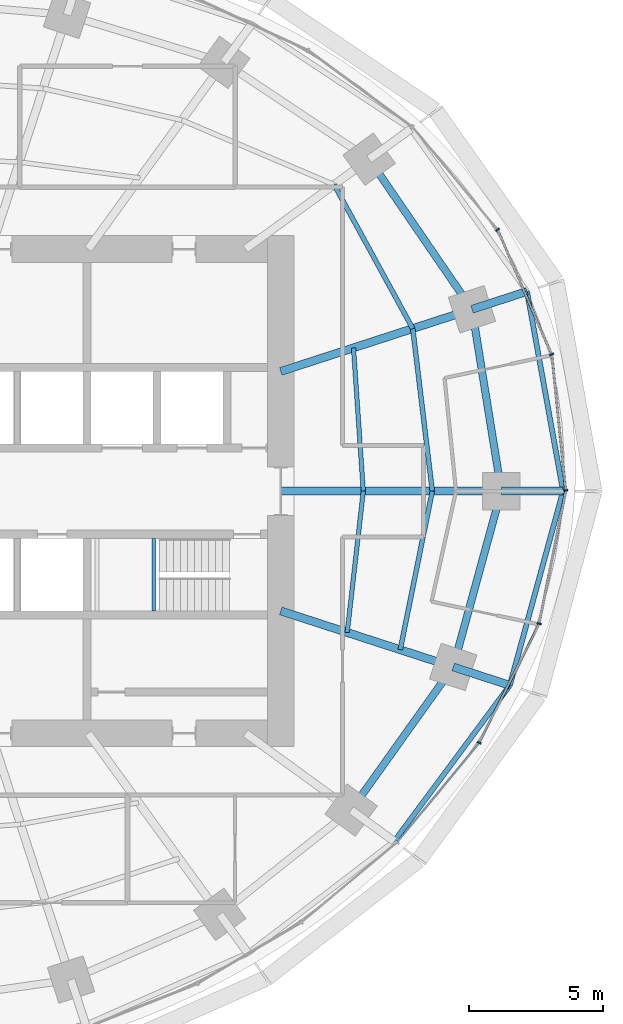
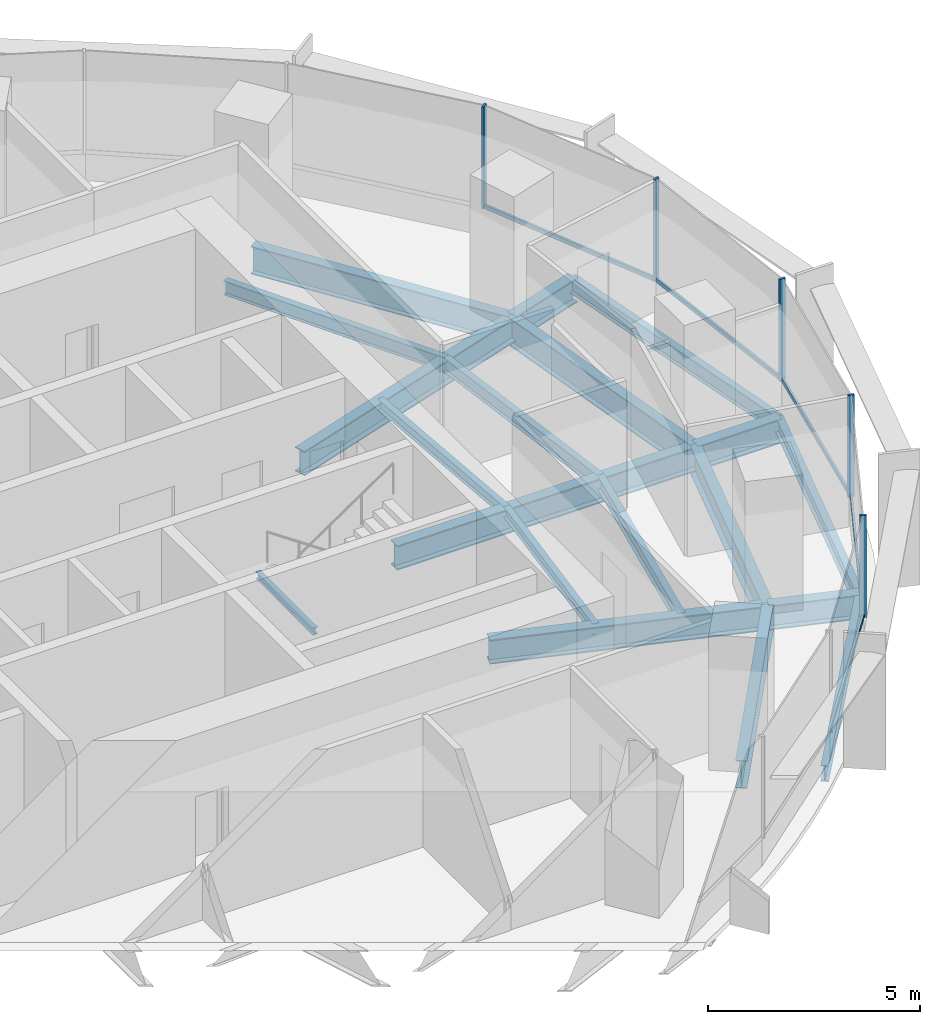
# One storey, part 6 of 14: 19 beams, 10 members, 2 elements without a shape of their own.
"""IFC4 building model written with IfcOpenShell, lengths in metres."""

from ifc_helpers import new_model, si_unit, direction, frame, origin, origin_2d, place, context, subcontext, project, spatial, rectangle, i_section, extrude, material, material_profile, profile_set, type_object, element, aggregate, save


model = new_model("IFC4")

# Units and contexts
model_context = context("Model", 3, precision=1e-05, world=origin(), true_north=direction((0.0, 1.0)))
body_context = subcontext(model_context, "Body", "Model", "MODEL_VIEW")
ifc_project = project(units=[si_unit("LENGTHUNIT", "METRE"), si_unit("AREAUNIT", "SQUARE_METRE"), si_unit("VOLUMEUNIT", "CUBIC_METRE"), si_unit("PLANEANGLEUNIT", "RADIAN"), si_unit("MASSUNIT", "GRAM", prefix="KILO")], contexts=[model_context])

# Site, building, storey
site_placement = place(None, origin())
site = spatial("IfcSite", under=ifc_project, at=site_placement, CompositionType="ELEMENT")
building_placement = place(site_placement, origin())
building = spatial("IfcBuilding", under=site, at=building_placement, Name="Marramba Exchange Tower", CompositionType="ELEMENT")
storey_placement = place(building_placement, frame((0.0, 0.0, 183.800048828125)))
storey = spatial("IfcBuildingStorey", under=building, at=storey_placement, Name="L44", CompositionType="ELEMENT", Elevation=183.800048828125)

# Beams
ifc_material_1 = material(Name="Steel AS/NZS 3679.2 grade 300", Category="steel")
ifc_material_profile_1 = material_profile(ifc_material_1, i_section(OverallWidth=0.300048828125, OverallDepth=0.699951171875, WebThickness=0.010009765625, FlangeThickness=0.031982421875, at=origin_2d()), Name="700WB173")
ifc_profile_set_1 = profile_set([ifc_material_profile_1], Name="Steel AS/NZS 3679.2 grade 300")
beam_type_1 = type_object("IfcBeamType", Name="Cantilever girder 700WB173", PredefinedType="BEAM", material=ifc_profile_set_1)
beam_1_placement = place(storey_placement, frame((21.89990234375, 0.0, -0.510009765625), z_axis=(1.0, 0.0, 0.0), x_axis=(0.0, 1.0, 0.0)))
element("IfcBeam", 1, at=beam_1_placement, inside=storey, type_object=beam_type_1, Name="Cantilever girder L44 TC01", PredefinedType="BEAM", context=body_context, shape_type="SweptSolid", body=[
    extrude(i_section(OverallWidth=0.300048828125, OverallDepth=0.699951171875, WebThickness=0.010009765625, FlangeThickness=0.031982421875, at=origin_2d()), origin(), (0.0, 0.0, 1.0), 2.294189453125),
])
beam_2_placement = place(storey_placement, frame((20.808349609375, 6.760986328125, -0.510009765625), z_axis=(0.951051587859, 0.309032162129, 0.0), x_axis=(-0.309032162129, 0.951051587859, 0.0)))
element("IfcBeam", 2, at=beam_2_placement, inside=storey, type_object=beam_type_1, Name="Cantilever girder L44 TC02", PredefinedType="BEAM", context=body_context, shape_type="SweptSolid", body=[
    extrude(i_section(OverallWidth=0.300048828125, OverallDepth=0.699951171875, WebThickness=0.010009765625, FlangeThickness=0.031982421875, at=origin_2d()), origin(), (0.0, 0.0, 1.0), 2.150390625),
])
beam_3_placement = place(storey_placement, frame((20.109375, -6.533935546875, -0.510009765625), z_axis=(0.951050283347, -0.309036176758, 0.0), x_axis=(0.309036176758, 0.951050283347, 0.0)))
element("IfcBeam", 3, at=beam_3_placement, inside=storey, type_object=beam_type_1, Name="Cantilever girder L44 TC20", PredefinedType="BEAM", context=body_context, shape_type="SweptSolid", body=[
    extrude(i_section(OverallWidth=0.300048828125, OverallDepth=0.699951171875, WebThickness=0.010009765625, FlangeThickness=0.031982421875, at=origin_2d()), origin(), (0.0, 0.0, 1.0), 2.212890625),
])
ifc_material_2 = material(Name="Steel AS/NZS 3679.1 grade 300", Category="steel")
ifc_material_profile_2 = material_profile(ifc_material_2, i_section(OverallWidth=0.166015625, OverallDepth=0.306884765625, WebThickness=0.006591796875, FlangeThickness=0.01171875, FilletRadius=0.011474609375, at=origin_2d()), Name="310UB46.2")
ifc_profile_set_2 = profile_set([ifc_material_profile_2], Name="Steel AS/NZS 3679.1 grade 300")
beam_type_2 = type_object("IfcBeamType", Name="Floor joist 310UB46.2", PredefinedType="JOIST", material=ifc_profile_set_2)
beam_4_placement = place(storey_placement, frame((16.7666015625, 0.0, -0.3134765625), z_axis=(-0.068096259546, 0.99767875563, 0.0), x_axis=(-0.99767875563, -0.068096259546, 0.0)))
element("IfcBeam", 4, at=beam_4_placement, inside=storey, type_object=beam_type_2, Name="Joist L44 bay 01 row 1", PredefinedType="JOIST", context=body_context, shape_type="SweptSolid", body=[
    extrude(i_section(OverallWidth=0.166015625, OverallDepth=0.306884765625, WebThickness=0.006591796875, FlangeThickness=0.01171875, FilletRadius=0.011474609375, at=origin_2d()), origin(), (0.0, 0.0, 1.0), 5.342041015625),
])
beam_5_placement = place(storey_placement, frame((16.169677734375, -5.25390625, -0.3134765625), z_axis=(0.112888968594, 0.993607609054, 0.0), x_axis=(-0.993607609054, 0.112888968594, 0.0)))
element("IfcBeam", 5, at=beam_5_placement, inside=storey, type_object=beam_type_2, Name="Joist L44 bay 20 row 1", PredefinedType="JOIST", context=body_context, shape_type="SweptSolid", body=[
    extrude(i_section(OverallWidth=0.166015625, OverallDepth=0.306884765625, WebThickness=0.006591796875, FlangeThickness=0.01171875, FilletRadius=0.011474609375, at=origin_2d()), origin(), (0.0, 0.0, 1.0), 5.28759765625),
])
ifc_material_profile_3 = material_profile(ifc_material_2, i_section(OverallWidth=0.177978515625, OverallDepth=0.406005859375, WebThickness=0.0078125, FlangeThickness=0.0126953125, FilletRadius=0.011474609375, at=origin_2d()), Name="410UB59.7")
ifc_profile_set_3 = profile_set([ifc_material_profile_3], Name="Steel AS/NZS 3679.1 grade 300")
beam_type_3 = type_object("IfcBeamType", Name="Floor joist 410UB59.7", PredefinedType="JOIST", material=ifc_profile_set_3)
beam_6_placement = place(storey_placement, frame((19.333251953125, 0.0, -0.363037109375), z_axis=(-0.119523078538, 0.992831422597, 0.0), x_axis=(-0.992831422597, -0.119523078538, 0.0)))
element("IfcBeam", 6, at=beam_6_placement, inside=storey, type_object=beam_type_3, Name="Joist L44 bay 01 row 2", PredefinedType="JOIST", context=body_context, shape_type="SweptSolid", body=[
    extrude(i_section(OverallWidth=0.177978515625, OverallDepth=0.406005859375, WebThickness=0.0078125, FlangeThickness=0.0126953125, FilletRadius=0.011474609375, at=origin_2d()), origin(), (0.0, 0.0, 1.0), 6.089111328125),
])
beam_7_placement = place(storey_placement, frame((18.60546875, 6.04541015625, -0.363037109375), z_axis=(-0.479584443791, 0.877495732909, 0.0), x_axis=(-0.877495732909, -0.479584443791, 0.0)))
element("IfcBeam", 7, at=beam_7_placement, inside=storey, type_object=beam_type_3, Name="Joist L44 bay 02 row 2", PredefinedType="JOIST", context=body_context, shape_type="SweptSolid", body=[
    extrude(i_section(OverallWidth=0.177978515625, OverallDepth=0.406005859375, WebThickness=0.0078125, FlangeThickness=0.0126953125, FilletRadius=0.011474609375, at=origin_2d()), origin(), (0.0, 0.0, 1.0), 6.094970703125),
])
beam_8_placement = place(storey_placement, frame((18.1396484375, -5.893798828125, -0.363037109375), z_axis=(0.198489047047, 0.980103105904, 0.0), x_axis=(-0.980103105904, 0.198489047047, 0.0)))
element("IfcBeam", 8, at=beam_8_placement, inside=storey, type_object=beam_type_3, Name="Joist L44 bay 20 row 2", PredefinedType="JOIST", context=body_context, shape_type="SweptSolid", body=[
    extrude(i_section(OverallWidth=0.177978515625, OverallDepth=0.406005859375, WebThickness=0.0078125, FlangeThickness=0.0126953125, FilletRadius=0.011474609375, at=origin_2d()), origin(), (0.0, 0.0, 1.0), 6.013427734375),
])

# Curtain wall, members
ifc_material_3 = material(Name="Aluminium framing, bronze anodised", Category="aluminium")
curtain_wall_type = type_object("IfcCurtainWallType", Name="Office ribbon curtain wall", PredefinedType="USERDEFINED", material=ifc_material_3)
curtain_wall_1_placement = place(storey_placement, origin())
curtain_wall_1 = element("IfcCurtainWall", 9, at=curtain_wall_1_placement, inside=storey, type_object=curtain_wall_type, Name="Curtain wall CW4 L44 F01-F05", ObjectType="RIBBON CURTAIN WALL", PredefinedType="USERDEFINED")
ifc_material_4 = material(Name="Aluminium mullion, bronze anodised", Category="aluminium")
ifc_material_profile_4 = material_profile(ifc_material_4, rectangle(XDim=0.159912109375, YDim=0.06005859375, at=origin_2d()), Name="CW4 mullion 60x160")
ifc_profile_set_4 = profile_set([ifc_material_profile_4], Name="Aluminium mullion, bronze anodised")
member_type_1 = type_object("IfcMemberType", Name="Office ribbon curtain wall mullion", PredefinedType="MULLION", material=ifc_profile_set_4)
member_1_placement = place(storey_placement, frame((24.291015625, 0.02978515625, 0.800048828125), z_axis=(0.0, 0.0, 1.0), x_axis=(-0.994843446001, -0.101422472607, 0.0)))
member_1 = element("IfcMember", 10, at=member_1_placement, type_object=member_type_1, Name="CW4 mullion 1", PredefinedType="MULLION", context=body_context, shape_type="SweptSolid", body=[
    extrude(rectangle(XDim=0.159912109375, YDim=0.06005859375, at=origin_2d()), origin(), (0.0, 0.0, 1.0), 2.93994140625),
])
member_2_placement = place(storey_placement, frame((23.766845703125, 5.081787109375, 0.800048828125), z_axis=(0.0, 0.0, 1.0), x_axis=(-0.918167104527, -0.396193346946, 0.0)))
member_2 = element("IfcMember", 11, at=member_2_placement, type_object=member_type_1, Name="CW4 mullion 1", PredefinedType="MULLION", context=body_context, shape_type="SweptSolid", body=[
    extrude(rectangle(XDim=0.159912109375, YDim=0.06005859375, at=origin_2d()), origin(), (0.0, 0.0, 1.0), 2.93994140625),
])
member_3_placement = place(storey_placement, frame((21.757080078125, 9.718505859375, 0.800048828125), z_axis=(0.0, 0.0, 1.0), x_axis=(-0.770574258342, -0.637350227411, 0.0)))
member_3 = element("IfcMember", 12, at=member_3_placement, type_object=member_type_1, Name="CW4 mullion 1", PredefinedType="MULLION", context=body_context, shape_type="SweptSolid", body=[
    extrude(rectangle(XDim=0.159912109375, YDim=0.06005859375, at=origin_2d()), origin(), (0.0, 0.0, 1.0), 2.93994140625),
])

curtain_wall_2_placement = place(storey_placement, origin())
curtain_wall_2 = element("IfcCurtainWall", 13, at=curtain_wall_2_placement, inside=storey, type_object=curtain_wall_type, Name="Curtain wall CW4 L44 F26-F30", ObjectType="RIBBON CURTAIN WALL", PredefinedType="USERDEFINED")
member_4_placement = place(storey_placement, frame((21.07568359375, -9.3505859375, 0.800048828125), z_axis=(0.0, 0.0, 1.0), x_axis=(-0.892689067591, 0.450673083956, 0.0)))
member_4 = element("IfcMember", 14, at=member_4_placement, type_object=member_type_1, Name="CW4 mullion 1", PredefinedType="MULLION", context=body_context, shape_type="SweptSolid", body=[
    extrude(rectangle(XDim=0.159912109375, YDim=0.06005859375, at=origin_2d()), origin(), (0.0, 0.0, 1.0), 2.93994140625),
])
member_5_placement = place(storey_placement, frame((23.30224609375, -4.92236328125, 0.800048828125), z_axis=(0.0, 0.0, 1.0), x_axis=(-0.980303812539, 0.197495405316, 0.0)))
member_5 = element("IfcMember", 15, at=member_5_placement, type_object=member_type_1, Name="CW4 mullion 1", PredefinedType="MULLION", context=body_context, shape_type="SweptSolid", body=[
    extrude(rectangle(XDim=0.159912109375, YDim=0.06005859375, at=origin_2d()), origin(), (0.0, 0.0, 1.0), 2.93994140625),
])

# Member
ifc_material_5 = material(Name="Aluminium transom, bronze anodised", Category="aluminium")
ifc_material_profile_5 = material_profile(ifc_material_5, rectangle(XDim=0.06005859375, YDim=0.1201171875, at=origin_2d()), Name="CW4 transom 60x120")
ifc_profile_set_5 = profile_set([ifc_material_profile_5], Name="Aluminium transom, bronze anodised")
member_type_2 = type_object("IfcMemberType", Name="Office ribbon curtain wall transom", PredefinedType="USERDEFINED", material=ifc_profile_set_5)
member_6_placement = place(storey_placement, frame((24.287841796875, 0.0595703125, 0.829833984375), z_axis=(-0.101386007846, 0.994847162841, 0.0), x_axis=(-0.994847162841, -0.101386007846, 0.0)))
member_6 = element("IfcMember", 16, at=member_6_placement, type_object=member_type_2, Name="CW4 sill transom", ObjectType="TRANSOM", PredefinedType="USERDEFINED", context=body_context, shape_type="SweptSolid", body=[
    extrude(rectangle(XDim=0.06005859375, YDim=0.1201171875, at=origin_2d()), origin(), (0.0, 0.0, 1.0), 5.020751953125),
])

member_7_placement = place(storey_placement, frame((23.7548828125, 5.109375, 0.829833984375), z_axis=(-0.396177573744, 0.918173910576, 0.0), x_axis=(-0.918173910576, -0.396177573744, 0.0)))
member_7 = element("IfcMember", 17, at=member_7_placement, type_object=member_type_2, Name="CW4 sill transom", ObjectType="TRANSOM", PredefinedType="USERDEFINED", context=body_context, shape_type="SweptSolid", body=[
    extrude(rectangle(XDim=0.06005859375, YDim=0.1201171875, at=origin_2d()), origin(), (0.0, 0.0, 1.0), 4.99462890625),
])

aggregate(curtain_wall_1, [member_1, member_6, member_2, member_7, member_3])

member_8_placement = place(storey_placement, frame((18.03515625, -13.029296875, 0.829833984375), z_axis=(0.638146908901, 0.76991462037, 0.0), x_axis=(-0.76991462037, 0.638146908901, 0.0)))
member_8 = element("IfcMember", 18, at=member_8_placement, type_object=member_type_2, Name="CW4 sill transom", ObjectType="TRANSOM", PredefinedType="USERDEFINED", context=body_context, shape_type="SweptSolid", body=[
    extrude(rectangle(XDim=0.06005859375, YDim=0.1201171875, at=origin_2d()), origin(), (0.0, 0.0, 1.0), 4.7431640625),
])

member_9_placement = place(storey_placement, frame((21.089111328125, -9.323974609375, 0.829833984375), z_axis=(0.450679681949, 0.892685736572, 0.0), x_axis=(-0.892685736572, 0.450679681949, 0.0)))
member_9 = element("IfcMember", 19, at=member_9_placement, type_object=member_type_2, Name="CW4 sill transom", ObjectType="TRANSOM", PredefinedType="USERDEFINED", context=body_context, shape_type="SweptSolid", body=[
    extrude(rectangle(XDim=0.06005859375, YDim=0.1201171875, at=origin_2d()), origin(), (0.0, 0.0, 1.0), 4.897705078125),
])

member_10_placement = place(storey_placement, frame((23.308349609375, -4.89306640625, 0.829833984375), z_axis=(0.197461053167, 0.980310732616, 0.0), x_axis=(-0.980310732616, 0.197461053167, 0.0)))
member_10 = element("IfcMember", 20, at=member_10_placement, type_object=member_type_2, Name="CW4 sill transom", ObjectType="TRANSOM", PredefinedType="USERDEFINED", context=body_context, shape_type="SweptSolid", body=[
    extrude(rectangle(XDim=0.06005859375, YDim=0.1201171875, at=origin_2d()), origin(), (0.0, 0.0, 1.0), 4.991455078125),
])

aggregate(curtain_wall_2, [member_8, member_4, member_9, member_5, member_10])

# Beams
ifc_material_profile_6 = material_profile(ifc_material_1, i_section(OverallWidth=0.300048828125, OverallDepth=0.699951171875, WebThickness=0.010009765625, FlangeThickness=0.031982421875, at=origin_2d()), Name="700WB173")
ifc_profile_set_6 = profile_set([ifc_material_profile_6], Name="Steel AS/NZS 3679.2 grade 300")
beam_type_4 = type_object("IfcBeamType", Name="Radial girder 700WB173", PredefinedType="BEAM", material=ifc_profile_set_6)
beam_9_placement = place(storey_placement, frame((13.699951171875, 0.0, -0.510009765625), z_axis=(1.0, 0.0, 0.0), x_axis=(0.0, 1.0, 0.0)))
element("IfcBeam", 21, at=beam_9_placement, inside=storey, type_object=beam_type_4, Name="Radial girder L44 TC01", PredefinedType="BEAM", context=body_context, shape_type="SweptSolid", body=[
    extrude(i_section(OverallWidth=0.300048828125, OverallDepth=0.699951171875, WebThickness=0.010009765625, FlangeThickness=0.031982421875, at=origin_2d()), origin(), (0.0, 0.0, 1.0), 8.199951171875),
])
beam_10_placement = place(storey_placement, frame((13.699951171875, 4.451416015625, -0.510009765625), z_axis=(0.951059990189, 0.309006302624, 0.0), x_axis=(-0.309006302624, 0.951059990189, 0.0)))
element("IfcBeam", 22, at=beam_10_placement, inside=storey, type_object=beam_type_4, Name="Radial girder L44 TC02", PredefinedType="BEAM", context=body_context, shape_type="SweptSolid", body=[
    extrude(i_section(OverallWidth=0.300048828125, OverallDepth=0.699951171875, WebThickness=0.010009765625, FlangeThickness=0.031982421875, at=origin_2d()), origin(), (0.0, 0.0, 1.0), 7.47412109375),
])
beam_11_placement = place(storey_placement, frame((13.699951171875, -4.451416015625, -0.510009765625), z_axis=(0.951057759669, -0.309013167637, 0.0), x_axis=(0.309013167637, 0.951057759669, 0.0)))
element("IfcBeam", 23, at=beam_11_placement, inside=storey, type_object=beam_type_4, Name="Radial girder L44 TC20", PredefinedType="BEAM", context=body_context, shape_type="SweptSolid", body=[
    extrude(i_section(OverallWidth=0.300048828125, OverallDepth=0.699951171875, WebThickness=0.010009765625, FlangeThickness=0.031982421875, at=origin_2d()), origin(), (0.0, 0.0, 1.0), 6.7392578125),
])
ifc_material_profile_7 = material_profile(ifc_material_1, i_section(OverallWidth=0.27490234375, OverallDepth=0.800048828125, WebThickness=0.010009765625, FlangeThickness=0.02490234375, at=origin_2d()), Name="800WB168")
ifc_profile_set_7 = profile_set([ifc_material_profile_7], Name="Steel AS/NZS 3679.2 grade 300")
beam_type_5 = type_object("IfcBeamType", Name="Ring beam 800WB168", PredefinedType="SPANDREL", material=ifc_profile_set_7)
beam_12_placement = place(storey_placement, frame((21.89990234375, 0.0, -0.56005859375), z_axis=(-0.159384865399, 0.987216523708, 0.0), x_axis=(-0.987216523708, -0.159384865399, 0.0)))
element("IfcBeam", 24, at=beam_12_placement, inside=storey, type_object=beam_type_5, Name="Ring beam L44 TC01-TC02", PredefinedType="SPANDREL", context=body_context, shape_type="SweptSolid", body=[
    extrude(i_section(OverallWidth=0.27490234375, OverallDepth=0.800048828125, WebThickness=0.010009765625, FlangeThickness=0.02490234375, at=origin_2d()), origin(), (0.0, 0.0, 1.0), 6.8486328125),
])
beam_13_placement = place(storey_placement, frame((20.808349609375, 6.760986328125, -0.56005859375), z_axis=(-0.56516002054, 0.824981303535, 0.0), x_axis=(-0.824981303535, -0.56516002054, 0.0)))
element("IfcBeam", 25, at=beam_13_placement, inside=storey, type_object=beam_type_5, Name="Ring beam L44 TC02-TC03", PredefinedType="SPANDREL", context=body_context, shape_type="SweptSolid", body=[
    extrude(i_section(OverallWidth=0.27490234375, OverallDepth=0.800048828125, WebThickness=0.010009765625, FlangeThickness=0.02490234375, at=origin_2d()), origin(), (0.0, 0.0, 1.0), 6.763671875),
])
beam_14_placement = place(storey_placement, frame((16.3154296875, -11.853759765625, -0.56005859375), z_axis=(0.580637181111, 0.814162430914, 0.0), x_axis=(-0.814162430914, 0.580637181111, 0.0)))
element("IfcBeam", 26, at=beam_14_placement, inside=storey, type_object=beam_type_5, Name="Ring beam L44 TC19-TC20", PredefinedType="SPANDREL", context=body_context, shape_type="SweptSolid", body=[
    extrude(i_section(OverallWidth=0.27490234375, OverallDepth=0.800048828125, WebThickness=0.010009765625, FlangeThickness=0.02490234375, at=origin_2d()), origin(), (0.0, 0.0, 1.0), 6.5341796875),
])
beam_15_placement = place(storey_placement, frame((20.109375, -6.533935546875, -0.56005859375), z_axis=(0.264291166956, 0.964442937176, 0.0), x_axis=(-0.964442937176, 0.264291166956, 0.0)))
element("IfcBeam", 27, at=beam_15_placement, inside=storey, type_object=beam_type_5, Name="Ring beam L44 TC20-TC01", PredefinedType="SPANDREL", context=body_context, shape_type="SweptSolid", body=[
    extrude(i_section(OverallWidth=0.27490234375, OverallDepth=0.800048828125, WebThickness=0.010009765625, FlangeThickness=0.02490234375, at=origin_2d()), origin(), (0.0, 0.0, 1.0), 6.77490234375),
])
ifc_material_profile_8 = material_profile(ifc_material_2, i_section(OverallWidth=0.19091796875, OverallDepth=0.4599609375, WebThickness=0.010009765625, FlangeThickness=0.01611328125, FilletRadius=0.011474609375, at=origin_2d()), Name="460UB82.1")
ifc_profile_set_8 = profile_set([ifc_material_profile_8], Name="Steel AS/NZS 3679.1 grade 300")
beam_type_6 = type_object("IfcBeamType", Name="Slab edge beam 460UB82.1", PredefinedType="SPANDREL", material=ifc_profile_set_8)
beam_16_placement = place(storey_placement, frame((24.194091796875, 0.0, -0.39013671875), z_axis=(-0.177663817107, 0.984091239719, 0.0), x_axis=(-0.984091239719, -0.177663817107, 0.0)))
element("IfcBeam", 28, at=beam_16_placement, inside=storey, type_object=beam_type_6, Name="Slab edge beam L44 TC01-TC02", PredefinedType="SPANDREL", context=body_context, shape_type="SweptSolid", body=[
    extrude(i_section(OverallWidth=0.19091796875, OverallDepth=0.4599609375, WebThickness=0.010009765625, FlangeThickness=0.01611328125, FilletRadius=0.011474609375, at=origin_2d()), origin(), (0.0, 0.0, 1.0), 7.545654296875),
])
beam_17_placement = place(storey_placement, frame((17.916015625, -13.016845703125, -0.39013671875), z_axis=(0.595428136035, 0.803408572781, 0.0), x_axis=(-0.803408572781, 0.595428136035, 0.0)))
element("IfcBeam", 29, at=beam_17_placement, inside=storey, type_object=beam_type_6, Name="Slab edge beam L44 TC19-TC20", PredefinedType="SPANDREL", context=body_context, shape_type="SweptSolid", body=[
    extrude(i_section(OverallWidth=0.19091796875, OverallDepth=0.4599609375, WebThickness=0.010009765625, FlangeThickness=0.01611328125, FilletRadius=0.011474609375, at=origin_2d()), origin(), (0.0, 0.0, 1.0), 7.218017578125),
])
beam_18_placement = place(storey_placement, frame((22.2138671875, -7.2177734375, -0.39013671875), z_axis=(0.264577205901, 0.964364506874, 0.0), x_axis=(-0.964364506874, 0.264577205901, 0.0)))
element("IfcBeam", 30, at=beam_18_placement, inside=storey, type_object=beam_type_6, Name="Slab edge beam L44 TC20-TC01", PredefinedType="SPANDREL", context=body_context, shape_type="SweptSolid", body=[
    extrude(i_section(OverallWidth=0.19091796875, OverallDepth=0.4599609375, WebThickness=0.010009765625, FlangeThickness=0.01611328125, FilletRadius=0.011474609375, at=origin_2d()), origin(), (0.0, 0.0, 1.0), 7.484375),
])
ifc_material_profile_9 = material_profile(ifc_material_2, i_section(OverallWidth=0.133056640625, OverallDepth=0.202880859375, WebThickness=0.005859375, FlangeThickness=0.0078125, FilletRadius=0.0087890625, at=origin_2d()), Name="200UB25.4")
ifc_profile_set_9 = profile_set([ifc_material_profile_9], Name="Steel AS/NZS 3679.1 grade 300")
beam_type_7 = type_object("IfcBeamType", Name="Stair landing beam 200UB25.4", PredefinedType="BEAM", material=ifc_profile_set_9)
beam_19_placement = place(storey_placement, frame((8.9833984375, -4.449951171875, 1.6484375), z_axis=(0.0, 1.0, 0.0), x_axis=(-1.0, 0.0, 0.0)))
element("IfcBeam", 31, at=beam_19_placement, inside=storey, type_object=beam_type_7, Name="Stair landing beam SLB1 ST2 L44 2", PredefinedType="BEAM", context=body_context, shape_type="SweptSolid", body=[
    extrude(i_section(OverallWidth=0.133056640625, OverallDepth=0.202880859375, WebThickness=0.005859375, FlangeThickness=0.0078125, FilletRadius=0.0087890625, at=origin_2d()), origin(), (0.0, 0.0, 1.0), 2.699951171875),
])

save(model, "model.ifc")
